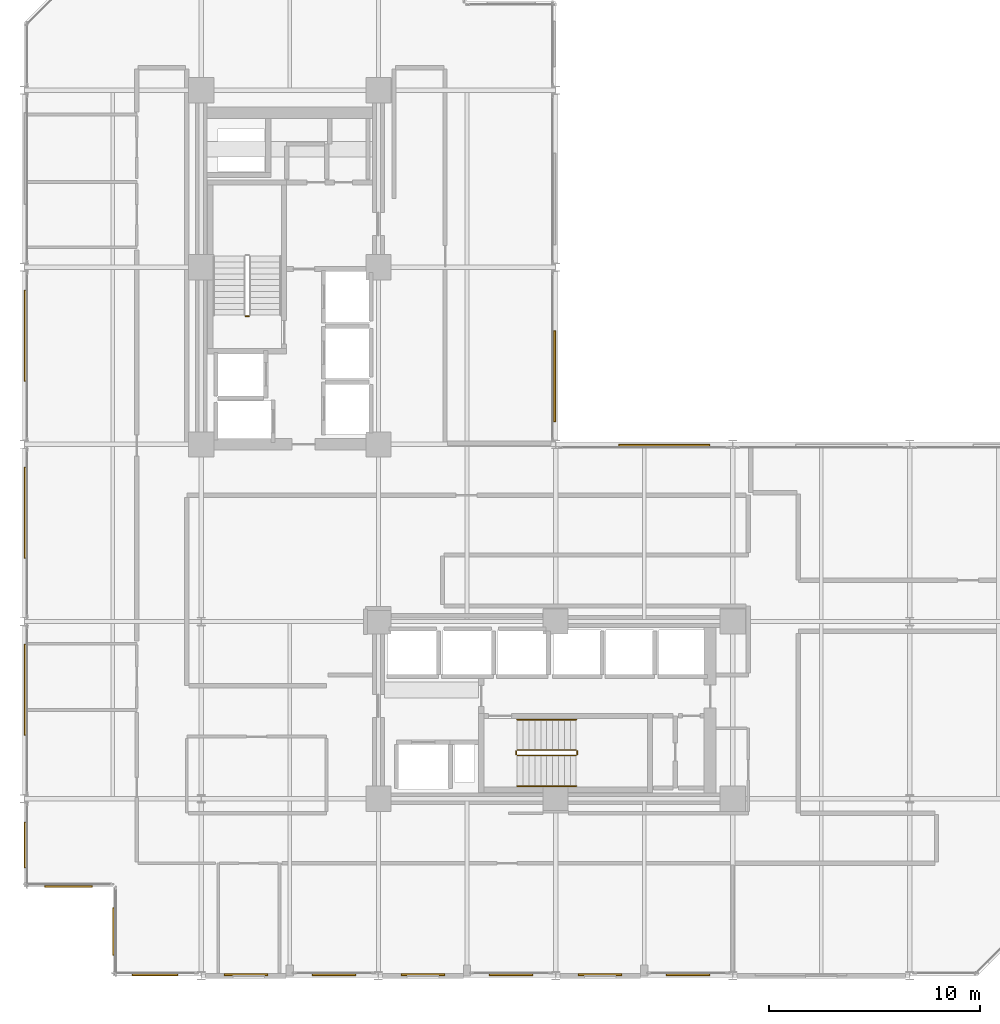
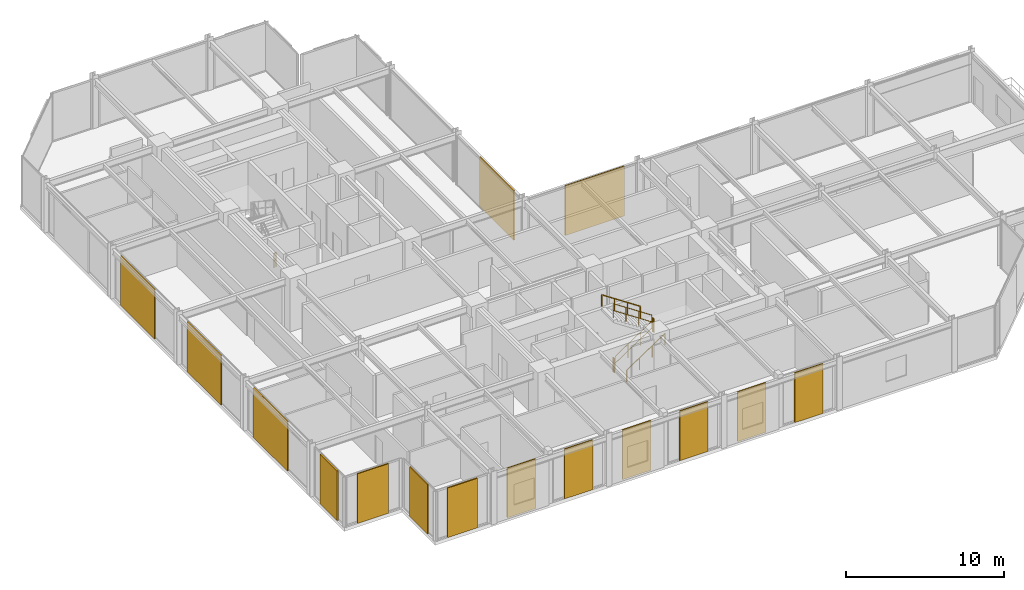
# One storey, part 36 of 38: 15 coverings, 7 railings.
"""IFC4 building model written with IfcOpenShell, lengths in metres."""

import ifcopenshell
import ifcopenshell.guid

model = None  # the IFC model being written
_history = None  # IfcOwnerHistory: only IFC2X3 demands one
_inside = {}  # id of a spatial element -> (the spatial element, [elements in it])
_under = {}  # id of a project, library or spatial element -> (it, [spatial elements below it])
_declared = {}  # id of a project -> (the project, [libraries it declares])
_typed = {}  # id of a type object -> (the type object, [elements of that type])
_made_of = {}  # id of a material, layer set ... -> (it, [elements and type objects made of it])


def new_model(schema):
    """Start an empty IFC model of exactly this schema.

    Asked for "IFC4X3", IfcOpenShell would pick the latest addendum, in which some entities
    have other attributes; the version numbers below select the first issue.
    IFC2X3 requires an IfcOwnerHistory on every rooted entity: one is made here for all.
    """
    global model, _history
    if schema == "IFC4X3":
        model = ifcopenshell.file(schema_version=(4, 3, 0, 0))
    else:
        model = ifcopenshell.file(schema=schema)
    _inside.clear()
    _under.clear()
    _declared.clear()
    _typed.clear()
    _made_of.clear()
    _history = None
    if model.schema == "IFC2X3":
        org = make("IfcOrganization", Name="unknown")
        user = make(
            "IfcPersonAndOrganization",
            ThePerson=make("IfcPerson", FamilyName="unknown"),
            TheOrganization=org,
        )
        app = make(
            "IfcApplication",
            ApplicationDeveloper=org,
            Version="unknown",
            ApplicationFullName="unknown",
            ApplicationIdentifier="unknown",
        )
        _history = make(
            "IfcOwnerHistory",
            OwningUser=user,
            OwningApplication=app,
            ChangeAction="ADDED",
            CreationDate=0,
        )
    return model


def make(cls, **values):
    """One entity of the class cls with the attributes given. An attribute that is None is left unset."""
    return model.create_entity(
        cls, **{name: value for name, value in values.items() if value is not None}
    )


def rooted(cls, **values):
    """An entity with a GlobalId (a new one), such as an element, a storey or a relation."""
    return make(cls, GlobalId=ifcopenshell.guid.new(), OwnerHistory=_history, **values)


def si_unit(unit_type, name, prefix=None):
    """IfcSIUnit, for example si_unit("LENGTHUNIT", "METRE", prefix="MILLI")."""
    return make("IfcSIUnit", UnitType=unit_type, Prefix=prefix, Name=name)


def assignment(units):
    """IfcUnitAssignment: the units of a project."""
    return None if units is None else make("IfcUnitAssignment", Units=units)


def point(xyz):
    """IfcCartesianPoint."""
    return None if xyz is None else make("IfcCartesianPoint", Coordinates=xyz)


def direction(xyz):
    """IfcDirection."""
    return None if xyz is None else make("IfcDirection", DirectionRatios=xyz)


def frame(location, z_axis=None, x_axis=None):
    """IfcAxis2Placement3D, a coordinate frame: its origin and axes. An axis left out is left unset."""
    return make(
        "IfcAxis2Placement3D",
        Location=point(location),
        Axis=direction(z_axis),
        RefDirection=direction(x_axis),
    )


def frame_2d(location, x_axis=None):
    """IfcAxis2Placement2D, a coordinate frame in the plane: its origin and x axis."""
    return make(
        "IfcAxis2Placement2D", Location=point(location), RefDirection=direction(x_axis)
    )


def origin():
    """The frame at (0, 0, 0) with its axes left unset."""
    return frame((0.0, 0.0, 0.0))


def origin_2d():
    """The frame at (0, 0) in the plane with its x axis left unset."""
    return frame_2d((0.0, 0.0))


def place(relative_to, where):
    """IfcLocalPlacement: puts the frame where relative to a parent placement (None: the world)."""
    return make(
        "IfcLocalPlacement", PlacementRelTo=relative_to, RelativePlacement=where
    )


def context(
    kind, dimensions, precision=None, world=None, true_north=None, identifier=None
):
    """IfcGeometricRepresentationContext, for example the 3D "Model" context."""
    return make(
        "IfcGeometricRepresentationContext",
        ContextIdentifier=identifier,
        ContextType=kind,
        CoordinateSpaceDimension=dimensions,
        Precision=precision,
        WorldCoordinateSystem=world,
        TrueNorth=true_north,
    )


def subcontext(parent, identifier, kind, view, scale=None):
    """IfcGeometricRepresentationSubContext, for example "Body" below "Model"."""
    return make(
        "IfcGeometricRepresentationSubContext",
        ContextIdentifier=identifier,
        ContextType=kind,
        ParentContext=parent,
        TargetScale=scale,
        TargetView=view,
    )


def project(units=None, contexts=None):
    """IfcProject with its units and contexts."""
    return rooted(
        "IfcProject",
        Name="project",
        RepresentationContexts=contexts,
        UnitsInContext=assignment(units),
    )


def spatial(cls, under=None, at=None, **own):
    """A site, building, storey or space (cls), placed at a placement, below another one or the project."""
    s = rooted(cls, ObjectPlacement=at, **own)
    if under is not None:
        _under.setdefault(under.id(), (under, []))[1].append(s)
    return s


def profile(cls, at=None, kind="AREA", **sizes):
    """A parametric profile (cls). Its sizes go by their IFC names, for example OverallWidth=200.0."""
    return make(cls, ProfileType=kind, Position=at, **sizes)


def rectangle(**sizes):
    """IfcRectangleProfileDef."""
    return profile("IfcRectangleProfileDef", **sizes)


def circle(**sizes):
    """IfcCircleProfileDef."""
    return profile("IfcCircleProfileDef", **sizes)


def extrude(swept, where, along, depth):
    """IfcExtrudedAreaSolid: the profile swept, set in the frame where, extruded along a direction by depth."""
    return make(
        "IfcExtrudedAreaSolid",
        SweptArea=swept,
        Position=where,
        ExtrudedDirection=direction(along),
        Depth=depth,
    )


def shape(context_of_items, identifier, shape_type, items):
    """IfcShapeRepresentation: the items that make up one representation, for example the "Body"."""
    return make(
        "IfcShapeRepresentation",
        ContextOfItems=context_of_items,
        RepresentationIdentifier=identifier,
        RepresentationType=shape_type,
        Items=items,
    )


def material(Name=None, Category=None):
    """IfcMaterial."""
    return make("IfcMaterial", Name=Name, Category=Category)


def layer(
    of_material, thickness, ventilated=None, Name=None, Category=None, Priority=None
):
    """IfcMaterialLayer: one layer of a wall or slab, of a material (None: an air gap)."""
    return make(
        "IfcMaterialLayer",
        Material=of_material,
        LayerThickness=thickness,
        IsVentilated=ventilated,
        Name=Name,
        Category=Category,
        Priority=Priority,
    )


def layer_set(layers, Name=None):
    """IfcMaterialLayerSet."""
    return make("IfcMaterialLayerSet", MaterialLayers=layers, LayerSetName=Name)


def made_of(thing, what):
    """Note that an element or type object is made of a material, layer set ...; save() writes the relation."""
    if what is not None:
        _made_of.setdefault(what.id(), (what, []))[1].append(thing)
    return thing


def type_object(cls, material=None, **own):
    """A type object (cls), such as IfcWallType, which elements share."""
    return made_of(rooted(cls, **own), material)


def element(
    cls,
    number,
    at=None,
    inside=None,
    cuts=None,
    type_object=None,
    material=None,
    context=None,
    identifier="Body",
    shape_type=None,
    held_by="IfcProductDefinitionShape",
    body=None,
    shapes=None,
    **own,
):
    """One element of the class cls, such as IfcWall. Its Tag is "e" and its number.

    at: its placement. inside: the storey or other place that contains it. cuts: it is an
    opening in that element (IfcRelVoidsElement). A single representation is given by context,
    identifier, shape_type and body (its items); several are given by shapes. held_by: the class
    of the entity that holds the representations. save() writes the other relations.
    """
    e = rooted(cls, Tag="e%d" % number, ObjectPlacement=at, **own)
    if body is not None:
        shapes = [shape(context, identifier, shape_type, body)]
    if shapes is not None:
        e.Representation = make(held_by, Representations=shapes)
    if inside is not None:
        _inside.setdefault(inside.id(), (inside, []))[1].append(e)
    if cuts is not None:
        rooted(
            "IfcRelVoidsElement", RelatingBuildingElement=cuts, RelatedOpeningElement=e
        )
    if type_object is not None:
        _typed.setdefault(type_object.id(), (type_object, []))[1].append(e)
    return made_of(e, material)


def aggregate(whole, parts):
    """IfcRelAggregates: a whole, such as a stair, and the parts it consists of."""
    return rooted("IfcRelAggregates", RelatingObject=whole, RelatedObjects=parts)


def save(model, path):
    """Write the relations noted so far, then the file.

    IfcRelAggregates (storeys below a building ...), IfcRelContainedInSpatialStructure (elements
    in a storey), IfcRelDefinesByType, IfcRelAssociatesMaterial and IfcRelDeclares: one each for
    every whole, place, type object, material and project.
    """
    for whole, parts in _under.values():
        aggregate(whole, parts)
    for where, things in _inside.values():
        rooted(
            "IfcRelContainedInSpatialStructure",
            RelatedElements=things,
            RelatingStructure=where,
        )
    for kind, things in _typed.values():
        rooted("IfcRelDefinesByType", RelatedObjects=things, RelatingType=kind)
    for what, things in _made_of.values():
        rooted("IfcRelAssociatesMaterial", RelatedObjects=things, RelatingMaterial=what)
    for by, libraries in _declared.values():
        rooted("IfcRelDeclares", RelatingContext=by, RelatedDefinitions=libraries)
    model.write(path)


model = new_model("IFC4")

# Units and contexts
model_context = context("Model", 3, precision=1e-05, world=origin(), true_north=direction((0.0, 1.0)))
body_context = subcontext(model_context, "Body", "Model", "MODEL_VIEW")
ifc_project = project(units=[si_unit("LENGTHUNIT", "METRE"), si_unit("AREAUNIT", "SQUARE_METRE"), si_unit("VOLUMEUNIT", "CUBIC_METRE"), si_unit("PLANEANGLEUNIT", "RADIAN"), si_unit("MASSUNIT", "GRAM", prefix="KILO")], contexts=[model_context])

# Site, building, storey
site_placement = place(None, origin())
site = spatial("IfcSite", under=ifc_project, at=site_placement, CompositionType="ELEMENT")
building_placement = place(site_placement, origin())
building = spatial("IfcBuilding", under=site, at=building_placement, Name="Nerrivon Quay Data Exchange", CompositionType="ELEMENT")
storey_placement = place(building_placement, frame((0.0, 0.0, 100.800048828125)))
storey = spatial("IfcBuildingStorey", under=building, at=storey_placement, Name="L23", CompositionType="ELEMENT", Elevation=100.800048828125)

# Coverings
ifc_material_1 = material(Name="Architectural terracotta ceramic", Category="masonry")
ifc_layer = layer(ifc_material_1, 0.090087890625)
ifc_layer_set = layer_set([ifc_layer], Name="Architectural terracotta ceramic")
covering_type = type_object("IfcCoveringType", Name="COV-SCR-TERR", PredefinedType="CLADDING", material=ifc_layer_set)
covering_1_placement = place(storey_placement, frame((31.487548828125, 0.044921875, 0.0), z_axis=(0.0, 0.0, 1.0), x_axis=(-1.0, 0.0, 0.0)))
element("IfcCovering", 1, at=covering_1_placement, inside=storey, type_object=covering_type, Name="L23 Perforated Terracotta SOLAR SCREEN Cassette", PredefinedType="CLADDING", context=body_context, shape_type="SweptSolid", body=[
    extrude(rectangle(XDim=2.06494140625, YDim=0.090087890625, at=origin_2d()), origin(), (0.0, 0.0, 1.0), 3.824951171875),
])
covering_2_placement = place(storey_placement, frame((27.3125, 0.044921875, 0.0), z_axis=(0.0, 0.0, 1.0), x_axis=(-1.0, 0.0, 0.0)))
element("IfcCovering", 2, at=covering_2_placement, inside=storey, type_object=covering_type, Name="L23 Perforated Terracotta SOLAR SCREEN Cassette", PredefinedType="CLADDING", context=body_context, shape_type="SweptSolid", body=[
    extrude(rectangle(XDim=2.06591796875, YDim=0.090087890625, at=origin_2d()), origin(), (0.0, 0.0, 1.0), 3.824951171875),
])
for number, where, z_axis, x_axis, name in (
    (3, (23.08740234375, 0.044921875, 0.0), (0.0, 0.0, 1.0), (-1.0, 0.0, 0.0), "L23 Perforated Terracotta SOLAR SCREEN Cassette"),
    (4, (18.91259765625, 0.044921875, 0.0), (0.0, 0.0, 1.0), (-1.0, 0.0, 0.0), "L23 Perforated Terracotta SOLAR SCREEN Cassette"),
):
    element("IfcCovering", number, at=place(storey_placement, frame(where, z_axis=z_axis, x_axis=x_axis)), inside=storey, type_object=covering_type, Name=name, PredefinedType="CLADDING", context=body_context, shape_type="SweptSolid", body=[
        extrude(rectangle(XDim=2.06494140625, YDim=0.090087890625, at=origin_2d()), origin(), (0.0, 0.0, 1.0), 3.824951171875),
    ])
for number, where, z_axis, x_axis, name in (
    (5, (14.6875, 0.044921875, 0.0), (0.0, 0.0, 1.0), (-1.0, 0.0, 0.0), "L23 Perforated Terracotta SOLAR SCREEN Cassette"),
    (6, (10.512451171875, 0.044921875, 0.0), (0.0, 0.0, 1.0), (-1.0, 0.0, 0.0), "L23 Perforated Terracotta SOLAR SCREEN Cassette"),
):
    element("IfcCovering", number, at=place(storey_placement, frame(where, z_axis=z_axis, x_axis=x_axis)), inside=storey, type_object=covering_type, Name=name, PredefinedType="CLADDING", context=body_context, shape_type="SweptSolid", body=[
        extrude(rectangle(XDim=2.06591796875, YDim=0.090087890625, at=origin_2d()), origin(), (0.0, 0.0, 1.0), 3.824951171875),
    ])
covering_3_placement = place(storey_placement, frame((6.199951171875, 0.044921875, 0.0), z_axis=(0.0, 0.0, 1.0), x_axis=(-1.0, 0.0, 0.0)))
element("IfcCovering", 7, at=covering_3_placement, inside=storey, type_object=covering_type, Name="L23 Perforated Terracotta SOLAR SCREEN Cassette", PredefinedType="CLADDING", context=body_context, shape_type="SweptSolid", body=[
    extrude(rectangle(XDim=2.159912109375, YDim=0.090087890625, at=origin_2d()), origin(), (0.0, 0.0, 1.0), 3.824951171875),
])
for number, where, z_axis, x_axis, name in (
    (8, (4.2451171875, 2.10009765625, 0.0), (0.0, 0.0, 1.0), (0.0, 1.0, 0.0), "L23 Perforated Terracotta SOLAR SCREEN Cassette"),
    (9, (2.10009765625, 4.2451171875, 0.0), (0.0, 0.0, 1.0), (-1.0, 0.0, 0.0), "L23 Perforated Terracotta SOLAR SCREEN Cassette"),
):
    element("IfcCovering", number, at=place(storey_placement, frame(where, z_axis=z_axis, x_axis=x_axis)), inside=storey, type_object=covering_type, Name=name, PredefinedType="CLADDING", context=body_context, shape_type="SweptSolid", body=[
        extrude(rectangle(XDim=2.26806640625, YDim=0.090087890625, at=origin_2d()), origin(), (0.0, 0.0, 1.0), 3.824951171875),
    ])
covering_4_placement = place(storey_placement, frame((0.044921875, 6.199951171875, 0.0), z_axis=(0.0, 0.0, 1.0), x_axis=(0.0, 1.0, 0.0)))
element("IfcCovering", 10, at=covering_4_placement, inside=storey, type_object=covering_type, Name="L23 Perforated Terracotta SOLAR SCREEN Cassette", PredefinedType="CLADDING", context=body_context, shape_type="SweptSolid", body=[
    extrude(rectangle(XDim=2.159912109375, YDim=0.090087890625, at=origin_2d()), origin(), (0.0, 0.0, 1.0), 3.824951171875),
])
for number, where, z_axis, x_axis, name in (
    (11, (0.044921875, 13.56005859375, 0.0), (0.0, 0.0, 1.0), (0.0, 1.0, 0.0), "L23 Perforated Terracotta SOLAR SCREEN Cassette"),
    (12, (0.044921875, 21.9599609375, 0.0), (0.0, 0.0, 1.0), (0.0, 1.0, 0.0), "L23 Perforated Terracotta SOLAR SCREEN Cassette"),
    (13, (0.044921875, 30.360107421875, 0.0), (0.0, 0.0, 1.0), (0.0, 1.0, 0.0), "L23 Perforated Terracotta SOLAR SCREEN Cassette"),
    (14, (25.155029296875, 28.43994140625, 0.0), (0.0, 0.0, 1.0), (0.0, -1.0, 0.0), "L23 Perforated Terracotta SOLAR SCREEN Cassette"),
    (15, (30.360107421875, 25.155029296875, 0.0), (0.0, 0.0, 1.0), (1.0, 0.0, 0.0), "L23 Perforated Terracotta SOLAR SCREEN Cassette"),
):
    element("IfcCovering", number, at=place(storey_placement, frame(where, z_axis=z_axis, x_axis=x_axis)), inside=storey, type_object=covering_type, Name=name, PredefinedType="CLADDING", context=body_context, shape_type="SweptSolid", body=[
        extrude(rectangle(XDim=4.320068359375, YDim=0.090087890625, at=origin_2d()), origin(), (0.0, 0.0, 1.0), 3.824951171875),
    ])

# Railings
ifc_material_2 = material(Name="Steel Grade C350L0 (350 MPa)", Category="steel")
railing_type_1 = type_object("IfcRailingType", Name="RAIL-HAND-HR1", PredefinedType="HANDRAIL", material=ifc_material_2)
railing_1_placement = place(storey_placement, frame((23.3798828125, 9.0, 0.186279296875)))
element("IfcRailing", 16, at=railing_1_placement, inside=storey, type_object=railing_type_1, Name="L23 ST02 stair handrail 1", PredefinedType="HANDRAIL", context=body_context, shape_type="SweptSolid", body=[
    extrude(circle(Radius=0.02392578125, at=origin_2d()), frame((0.0, 0.0, 0.8759765625), z_axis=(0.832452072856, 0.0, 0.554097055034), x_axis=(0.0, 1.0, 0.0)), (0.0, 0.0, 1.0), 3.363525390625),
    extrude(circle(Radius=0.02099609375, at=origin_2d()), origin(), (0.0, 0.0, 1.0), 0.851806640625),
    extrude(circle(Radius=0.02099609375, at=origin_2d()), frame((0.933349609375, 0.0, 0.621337890625)), (0.0, 0.0, 1.0), 0.851806640625),
    extrude(circle(Radius=0.02099609375, at=origin_2d()), frame((1.86669921875, 0.0, 1.242431640625)), (0.0, 0.0, 1.0), 0.851806640625),
    extrude(circle(Radius=0.02099609375, at=origin_2d()), frame((2.800048828125, 0.0, 1.86376953125)), (0.0, 0.0, 1.0), 0.851806640625),
])
railing_2_placement = place(storey_placement, frame((26.179931640625, 12.14990234375, 2.236328125)))
element("IfcRailing", 17, at=railing_2_placement, inside=storey, type_object=railing_type_1, Name="L23 ST02 stair handrail 2", PredefinedType="HANDRAIL", context=body_context, shape_type="SweptSolid", body=[
    extrude(circle(Radius=0.02392578125, at=origin_2d()), frame((0.0, 0.0, 0.8759765625), z_axis=(-0.832485552168, 0.0, 0.554046753832), x_axis=(0.0, -1.0, 0.0)), (0.0, 0.0, 1.0), 3.363525390625),
    extrude(circle(Radius=0.02099609375, at=origin_2d()), origin(), (0.0, 0.0, 1.0), 0.851806640625),
    extrude(circle(Radius=0.02099609375, at=origin_2d()), frame((-0.933349609375, 0.0, 0.62109375)), (0.0, 0.0, 1.0), 0.851806640625),
    extrude(circle(Radius=0.02099609375, at=origin_2d()), frame((-1.86669921875, 0.0, 1.242431640625)), (0.0, 0.0, 1.0), 0.851806640625),
    extrude(circle(Radius=0.02099609375, at=origin_2d()), frame((-2.800048828125, 0.0, 1.863525390625)), (0.0, 0.0, 1.0), 0.851806640625),
])
railing_type_2 = type_object("IfcRailingType", Name="RAIL-STAIR-GR1", PredefinedType="BALUSTRADE", material=ifc_material_2)
railing_3_placement = place(storey_placement, frame((10.64990234375, 31.280029296875, 0.0)))
element("IfcRailing", 18, at=railing_3_placement, inside=storey, type_object=railing_type_2, Name="L23 ST01 stair guard 4", PredefinedType="BALUSTRADE", context=body_context, shape_type="SweptSolid", body=[
    extrude(circle(Radius=0.02392578125, at=origin_2d()), frame((0.0, 0.0, 1.076171875), z_axis=(-1.0, 0.0, 0.0), x_axis=(0.0, -1.0, 0.0)), (0.0, 0.0, 1.0), 0.14990234375),
    extrude(circle(Radius=0.02392578125, at=origin_2d()), frame((0.0, 0.0, 0.550048828125), z_axis=(-1.0, 0.0, 0.0), x_axis=(0.0, -1.0, 0.0)), (0.0, 0.0, 1.0), 0.14990234375),
    extrude(circle(Radius=0.02099609375, at=origin_2d()), origin(), (0.0, 0.0, 1.0), 1.052001953125),
    extrude(circle(Radius=0.02099609375, at=origin_2d()), frame((-0.14990234375, 0.0, 0.0)), (0.0, 0.0, 1.0), 1.052001953125),
])
railing_4_placement = place(storey_placement, frame((23.3798828125, 10.449951171875, 0.186279296875)))
element("IfcRailing", 19, at=railing_4_placement, inside=storey, type_object=railing_type_2, Name="L23 ST02 stair guard 1", PredefinedType="BALUSTRADE", context=body_context, shape_type="SweptSolid", body=[
    extrude(circle(Radius=0.02392578125, at=origin_2d()), frame((0.0, 0.0, 1.076171875), z_axis=(0.832452072856, 0.0, 0.554097055034), x_axis=(0.0, 1.0, 0.0)), (0.0, 0.0, 1.0), 3.363525390625),
    extrude(circle(Radius=0.02392578125, at=origin_2d()), frame((0.0, 0.0, 0.550048828125), z_axis=(0.832452072856, 0.0, 0.554097055034), x_axis=(0.0, 1.0, 0.0)), (0.0, 0.0, 1.0), 3.363525390625),
    extrude(circle(Radius=0.02099609375, at=origin_2d()), origin(), (0.0, 0.0, 1.0), 1.052001953125),
    extrude(circle(Radius=0.02099609375, at=origin_2d()), frame((0.933349609375, 0.0, 0.621337890625)), (0.0, 0.0, 1.0), 1.052001953125),
    extrude(circle(Radius=0.02099609375, at=origin_2d()), frame((1.86669921875, 0.0, 1.242431640625)), (0.0, 0.0, 1.0), 1.052001953125),
    extrude(circle(Radius=0.02099609375, at=origin_2d()), frame((2.800048828125, 0.0, 1.86376953125)), (0.0, 0.0, 1.0), 1.052001953125),
])
railing_5_placement = place(storey_placement, frame((26.22998046875, 10.5, 2.050048828125)))
element("IfcRailing", 20, at=railing_5_placement, inside=storey, type_object=railing_type_2, Name="L23 ST02 stair guard 2", PredefinedType="BALUSTRADE", context=body_context, shape_type="SweptSolid", body=[
    extrude(circle(Radius=0.02392578125, at=origin_2d()), frame((0.0, 0.0, 1.076171875), z_axis=(0.0, 1.0, 0.0), x_axis=(-1.0, 0.0, 0.0)), (0.0, 0.0, 1.0), 0.14990234375),
    extrude(circle(Radius=0.02392578125, at=origin_2d()), frame((0.0, 0.0, 0.550048828125), z_axis=(0.0, 1.0, 0.0), x_axis=(-1.0, 0.0, 0.0)), (0.0, 0.0, 1.0), 0.14990234375),
    extrude(circle(Radius=0.02099609375, at=origin_2d()), origin(), (0.0, 0.0, 1.0), 1.052001953125),
    extrude(circle(Radius=0.02099609375, at=origin_2d()), frame((0.0, 0.14990234375, 0.0)), (0.0, 0.0, 1.0), 1.052001953125),
])
railing_6_placement = place(storey_placement, frame((26.179931640625, 10.699951171875, 2.236328125)))
element("IfcRailing", 21, at=railing_6_placement, inside=storey, type_object=railing_type_2, Name="L23 ST02 stair guard 3", PredefinedType="BALUSTRADE", context=body_context, shape_type="SweptSolid", body=[
    extrude(circle(Radius=0.02392578125, at=origin_2d()), frame((0.0, 0.0, 1.076171875), z_axis=(-0.832485552168, 0.0, 0.554046753832), x_axis=(0.0, -1.0, 0.0)), (0.0, 0.0, 1.0), 3.363525390625),
    extrude(circle(Radius=0.02392578125, at=origin_2d()), frame((0.0, 0.0, 0.550048828125), z_axis=(-0.832485552168, 0.0, 0.554046753832), x_axis=(0.0, -1.0, 0.0)), (0.0, 0.0, 1.0), 3.363525390625),
    extrude(circle(Radius=0.02099609375, at=origin_2d()), origin(), (0.0, 0.0, 1.0), 1.052001953125),
    extrude(circle(Radius=0.02099609375, at=origin_2d()), frame((-0.933349609375, 0.0, 0.62109375)), (0.0, 0.0, 1.0), 1.052001953125),
    extrude(circle(Radius=0.02099609375, at=origin_2d()), frame((-1.86669921875, 0.0, 1.242431640625)), (0.0, 0.0, 1.0), 1.052001953125),
    extrude(circle(Radius=0.02099609375, at=origin_2d()), frame((-2.800048828125, 0.0, 1.863525390625)), (0.0, 0.0, 1.0), 1.052001953125),
])
railing_7_placement = place(storey_placement, frame((23.330078125, 10.5, 0.0)))
element("IfcRailing", 22, at=railing_7_placement, inside=storey, type_object=railing_type_2, Name="L23 ST02 stair guard 4", PredefinedType="BALUSTRADE", context=body_context, shape_type="SweptSolid", body=[
    extrude(circle(Radius=0.02392578125, at=origin_2d()), frame((0.0, 0.0, 1.076171875), z_axis=(0.0, 1.0, 0.0), x_axis=(-1.0, 0.0, 0.0)), (0.0, 0.0, 1.0), 0.14990234375),
    extrude(circle(Radius=0.02392578125, at=origin_2d()), frame((0.0, 0.0, 0.550048828125), z_axis=(0.0, 1.0, 0.0), x_axis=(-1.0, 0.0, 0.0)), (0.0, 0.0, 1.0), 0.14990234375),
    extrude(circle(Radius=0.02099609375, at=origin_2d()), origin(), (0.0, 0.0, 1.0), 1.052001953125),
    extrude(circle(Radius=0.02099609375, at=origin_2d()), frame((0.0, 0.14990234375, 0.0)), (0.0, 0.0, 1.0), 1.052001953125),
])

save(model, "model.ifc")
